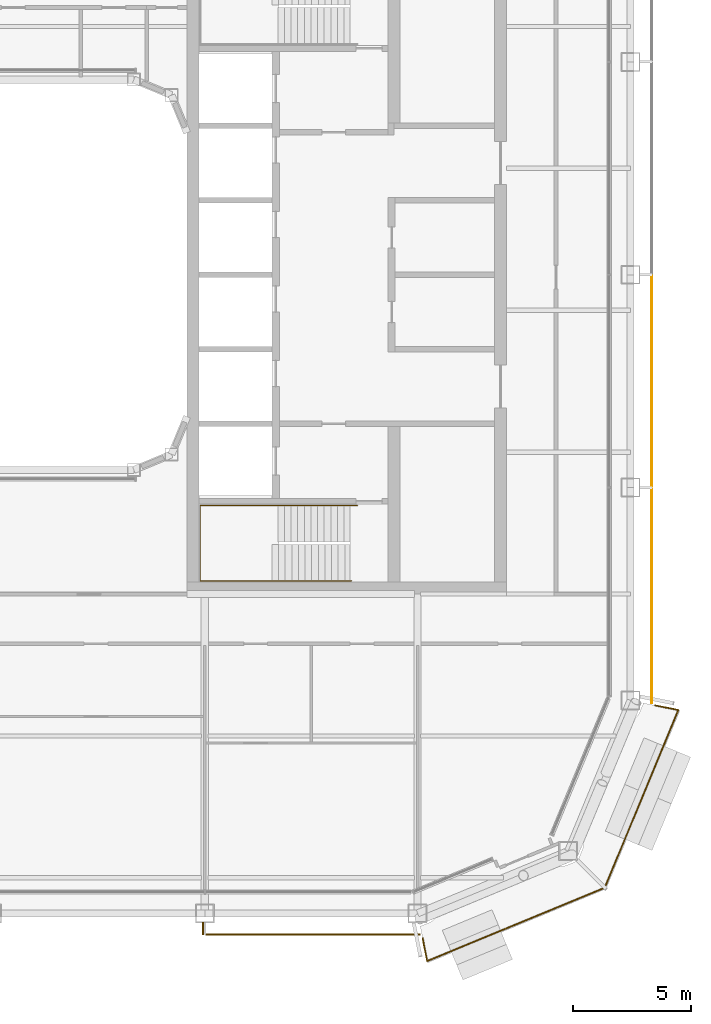
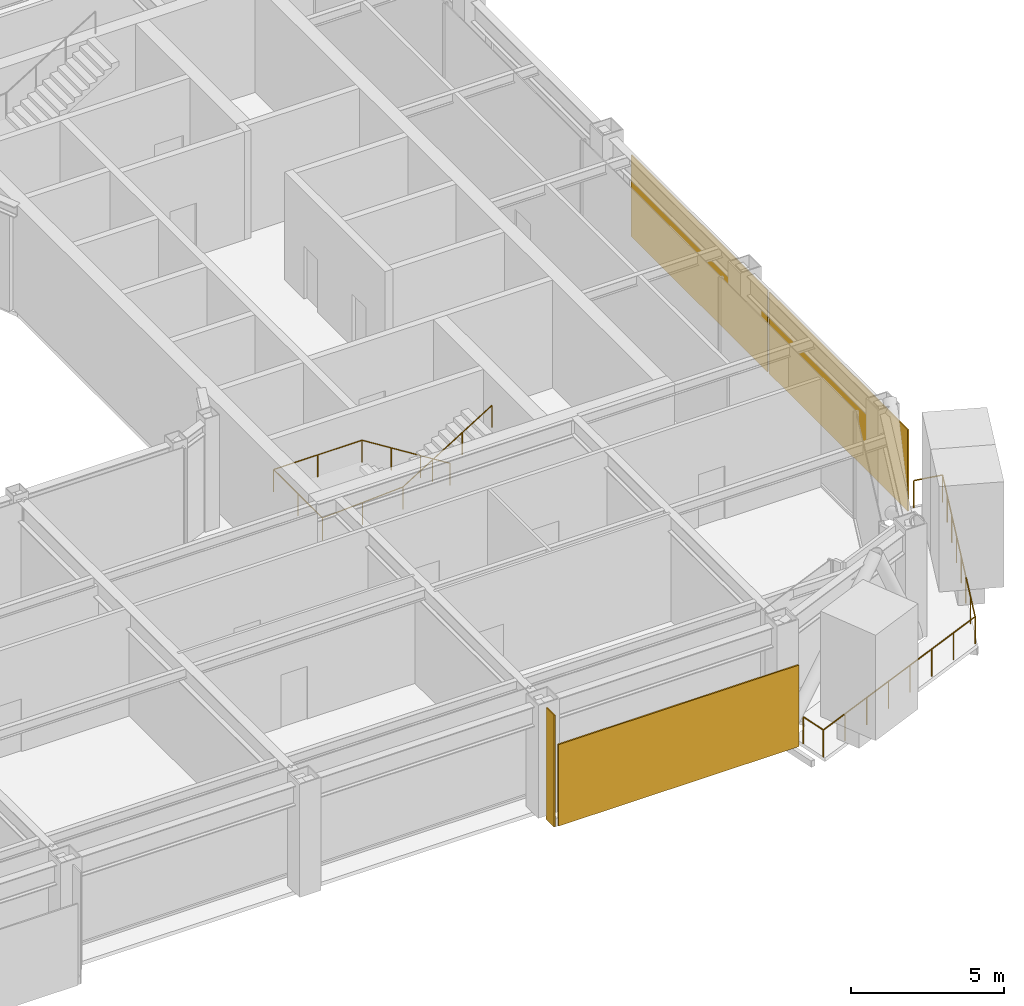
# One storey, part 20 of 23: 4 coverings, 2 railings.
"""IFC4 building model written with IfcOpenShell, lengths in metres."""

from ifc_helpers import new_model, si_unit, direction, frame, origin, origin_2d, place, context, subcontext, project, spatial, rectangle, circle, extrude, material, layer, layer_set, type_object, element, save


model = new_model("IFC4")

# Units and contexts
model_context = context("Model", 3, precision=1e-05, world=origin(), true_north=direction((0.0, 1.0)))
body_context = subcontext(model_context, "Body", "Model", "MODEL_VIEW")
ifc_project = project(units=[si_unit("LENGTHUNIT", "METRE"), si_unit("AREAUNIT", "SQUARE_METRE"), si_unit("VOLUMEUNIT", "CUBIC_METRE"), si_unit("PLANEANGLEUNIT", "RADIAN"), si_unit("MASSUNIT", "GRAM", prefix="KILO")], contexts=[model_context])

# Site, building, storey
site_placement = place(None, origin())
site = spatial("IfcSite", under=ifc_project, at=site_placement, CompositionType="ELEMENT")
building_placement = place(site_placement, origin())
building = spatial("IfcBuilding", under=site, at=building_placement, Name="Siwar Civic Tower", CompositionType="ELEMENT")
storey_placement = place(building_placement, frame((0.0, 0.0, 273.699951171875)))
storey = spatial("IfcBuildingStorey", under=building, at=storey_placement, Name="L59", CompositionType="ELEMENT", Elevation=273.699951171875)

# Railings
ifc_material_1 = material(Name="Stainless steel", Category="steel")
railing_type_1 = type_object("IfcRailingType", Name="CORE-STAIR-HANDRAIL", PredefinedType="HANDRAIL", material=ifc_material_1)
railing_1_placement = place(storey_placement, frame((15.449951171875, -9.758056640625, 0.173095703125)))
element("IfcRailing", 1, at=railing_1_placement, inside=storey, type_object=railing_type_1, Name="Stair handrail ST4", PredefinedType="HANDRAIL", context=body_context, shape_type="SweptSolid", body=[
    extrude(circle(Radius=0.02001953125, at=origin_2d()), frame((0.0, 0.0, 0.8798828125), z_axis=(-0.847063342986, 0.0, 0.531491950051), x_axis=(0.0, -1.0, 0.0)), (0.0, 0.0, 1.0), 3.90771484375),
    extrude(circle(Radius=0.02001953125, at=origin_2d()), frame((-3.31005859375, 0.0, 2.956787109375), z_axis=(-1.0, 0.0, 0.0), x_axis=(0.0, -1.0, 0.0)), (0.0, 0.0, 1.0), 3.331787109375),
    extrude(circle(Radius=0.02001953125, at=origin_2d()), frame((-6.641845703125, 0.0, 2.956787109375), z_axis=(0.0, -1.0, 0.0), x_axis=(1.0, 0.0, 0.0)), (0.0, 0.0, 1.0), 3.183837890625),
    extrude(circle(Radius=0.02001953125, at=origin_2d()), frame((-6.641845703125, -3.183837890625, 2.956787109375), z_axis=(0.99837434197, 0.0, 0.056997134106), x_axis=(0.0, 1.0, 0.0)), (0.0, 0.0, 1.0), 3.036865234375),
    extrude(circle(Radius=0.02001953125, at=origin_2d()), frame((-3.60986328125, -3.183837890625, 3.1298828125), z_axis=(0.850606129759, 0.0, 0.525803396734), x_axis=(0.0, 1.0, 0.0)), (0.0, 0.0, 1.0), 3.949951171875),
    extrude(circle(Radius=0.02001953125, at=origin_2d()), origin(), (0.0, 0.0, 1.0), 0.85986328125),
    extrude(circle(Radius=0.02001953125, at=origin_2d()), frame((-1.103271484375, 0.0, 0.6923828125)), (0.0, 0.0, 1.0), 0.85986328125),
    extrude(circle(Radius=0.02001953125, at=origin_2d()), frame((-2.206787109375, 0.0, 1.384521484375)), (0.0, 0.0, 1.0), 0.85986328125),
    extrude(circle(Radius=0.02001953125, at=origin_2d()), frame((-3.31005859375, 0.0, 2.076904296875)), (0.0, 0.0, 1.0), 0.85986328125),
    extrude(circle(Radius=0.02001953125, at=origin_2d()), frame((-4.97607421875, 0.0, 2.076904296875)), (0.0, 0.0, 1.0), 0.85986328125),
    extrude(circle(Radius=0.02001953125, at=origin_2d()), frame((-6.641845703125, 0.0, 2.076904296875)), (0.0, 0.0, 1.0), 0.85986328125),
    extrude(circle(Radius=0.02001953125, at=origin_2d()), frame((-6.641845703125, -1.591796875, 2.076904296875)), (0.0, 0.0, 1.0), 0.85986328125),
    extrude(circle(Radius=0.02001953125, at=origin_2d()), frame((-6.641845703125, -3.183837890625, 2.076904296875)), (0.0, 0.0, 1.0), 0.85986328125),
    extrude(circle(Radius=0.02001953125, at=origin_2d()), frame((-5.1259765625, -3.183837890625, 2.16357421875)), (0.0, 0.0, 1.0), 0.85986328125),
    extrude(circle(Radius=0.02001953125, at=origin_2d()), frame((-3.60986328125, -3.183837890625, 2.25)), (0.0, 0.0, 1.0), 0.85986328125),
    extrude(circle(Radius=0.02001953125, at=origin_2d()), frame((-2.489990234375, -3.183837890625, 2.9423828125)), (0.0, 0.0, 1.0), 0.85986328125),
    extrude(circle(Radius=0.02001953125, at=origin_2d()), frame((-1.369873046875, -3.183837890625, 3.634521484375)), (0.0, 0.0, 1.0), 0.85986328125),
    extrude(circle(Radius=0.02001953125, at=origin_2d()), frame((-0.25, -3.183837890625, 4.326904296875)), (0.0, 0.0, 1.0), 0.85986328125),
])
ifc_material_2 = material(Name="Stainless steel 316", Category="steel")
railing_type_2 = type_object("IfcRailingType", Name="ENV-GUARD", PredefinedType="GUARDRAIL", material=ifc_material_2)
railing_2_placement = place(storey_placement, frame((18.208251953125, -28.047119140625, 0.0)))
element("IfcRailing", 2, at=railing_2_placement, inside=storey, type_object=railing_type_2, Name="Balcony guard SE", PredefinedType="GUARDRAIL", context=body_context, shape_type="SweptSolid", body=[
    extrude(circle(Radius=0.02392578125, at=origin_2d()), frame((0.0, 0.0, 1.076171875), z_axis=(0.195123592472, -0.980778661911, 0.0), x_axis=(0.980778661911, 0.195123592472, 0.0)), (0.0, 0.0, 1.0), 0.993408203125),
    extrude(circle(Radius=0.02392578125, at=origin_2d()), frame((0.19384765625, -0.974365234375, 1.076171875), z_axis=(0.924089256518, 0.382176720888, 0.0), x_axis=(-0.382176720888, 0.924089256518, 0.0)), (0.0, 0.0, 1.0), 8.129638671875),
    extrude(circle(Radius=0.02392578125, at=origin_2d()), frame((7.706298828125, 2.132568359375, 1.076171875), z_axis=(0.382176720888, 0.924089256518, 0.0), x_axis=(-0.924089256518, 0.382176720888, 0.0)), (0.0, 0.0, 1.0), 8.129638671875),
    extrude(circle(Radius=0.02392578125, at=origin_2d()), frame((10.813232421875, 9.64501953125, 1.076171875), z_axis=(-0.980778661911, 0.195123592472, 0.0), x_axis=(-0.195123592472, -0.980778661911, 0.0)), (0.0, 0.0, 1.0), 0.993408203125),
    extrude(circle(Radius=0.02099609375, at=origin_2d()), origin(), (0.0, 0.0, 1.0), 1.052001953125),
    extrude(circle(Radius=0.02099609375, at=origin_2d()), frame((0.19384765625, -0.974365234375, 0.0)), (0.0, 0.0, 1.0), 1.052001953125),
    extrude(circle(Radius=0.02099609375, at=origin_2d()), frame((1.26708984375, -0.530517578125, 0.0)), (0.0, 0.0, 1.0), 1.052001953125),
    extrude(circle(Radius=0.02099609375, at=origin_2d()), frame((2.34033203125, -0.086669921875, 0.0)), (0.0, 0.0, 1.0), 1.052001953125),
    extrude(circle(Radius=0.02099609375, at=origin_2d()), frame((3.41357421875, 0.357177734375, 0.0)), (0.0, 0.0, 1.0), 1.052001953125),
    extrude(circle(Radius=0.02099609375, at=origin_2d()), frame((4.486572265625, 0.801025390625, 0.0)), (0.0, 0.0, 1.0), 1.052001953125),
    extrude(circle(Radius=0.02099609375, at=origin_2d()), frame((5.559814453125, 1.244873046875, 0.0)), (0.0, 0.0, 1.0), 1.052001953125),
    extrude(circle(Radius=0.02099609375, at=origin_2d()), frame((6.633056640625, 1.688720703125, 0.0)), (0.0, 0.0, 1.0), 1.052001953125),
    extrude(circle(Radius=0.02099609375, at=origin_2d()), frame((7.706298828125, 2.132568359375, 0.0)), (0.0, 0.0, 1.0), 1.052001953125),
    extrude(circle(Radius=0.02099609375, at=origin_2d()), frame((8.150146484375, 3.205810546875, 0.0)), (0.0, 0.0, 1.0), 1.052001953125),
    extrude(circle(Radius=0.02099609375, at=origin_2d()), frame((8.593994140625, 4.279052734375, 0.0)), (0.0, 0.0, 1.0), 1.052001953125),
    extrude(circle(Radius=0.02099609375, at=origin_2d()), frame((9.037841796875, 5.352294921875, 0.0)), (0.0, 0.0, 1.0), 1.052001953125),
    extrude(circle(Radius=0.02099609375, at=origin_2d()), frame((9.481689453125, 6.42529296875, 0.0)), (0.0, 0.0, 1.0), 1.052001953125),
    extrude(circle(Radius=0.02099609375, at=origin_2d()), frame((9.925537109375, 7.49853515625, 0.0)), (0.0, 0.0, 1.0), 1.052001953125),
    extrude(circle(Radius=0.02099609375, at=origin_2d()), frame((10.369384765625, 8.57177734375, 0.0)), (0.0, 0.0, 1.0), 1.052001953125),
    extrude(circle(Radius=0.02099609375, at=origin_2d()), frame((10.813232421875, 9.64501953125, 0.0)), (0.0, 0.0, 1.0), 1.052001953125),
    extrude(circle(Radius=0.02099609375, at=origin_2d()), frame((9.8388671875, 9.8388671875, 0.0)), (0.0, 0.0, 1.0), 1.052001953125),
])

# Coverings
ifc_material_3 = material(Name="Perforated aluminium cassette, pale metal", Category="aluminium")
ifc_layer_1 = layer(ifc_material_3, 0.0400390625)
ifc_layer_set_1 = layer_set([ifc_layer_1], Name="Perforated aluminium cassette, pale metal")
covering_type_1 = type_object("IfcCoveringType", Name="ENV-OUTER SKIN OS-1", PredefinedType="CLADDING", material=ifc_layer_set_1)
covering_1_placement = place(storey_placement, frame((27.89990234375, -13.57958984375, -0.14990234375), z_axis=(0.0, 0.0, 1.0), x_axis=(0.0, 1.0, 0.0)))
element("IfcCovering", 3, at=covering_1_placement, inside=storey, type_object=covering_type_1, Name="OUTER SKIN OS-1 E 1", PredefinedType="CLADDING", context=body_context, shape_type="SweptSolid", body=[
    extrude(rectangle(XDim=9.05908203125, YDim=0.0400390625, at=origin_2d()), origin(), (0.0, 0.0, 1.0), 3.25),
])
covering_2_placement = place(storey_placement, frame((27.89990234375, -4.5, -0.14990234375), z_axis=(0.0, 0.0, 1.0), x_axis=(0.0, 1.0, 0.0)))
element("IfcCovering", 4, at=covering_2_placement, inside=storey, type_object=covering_type_1, Name="OUTER SKIN OS-1 E 2", PredefinedType="CLADDING", context=body_context, shape_type="SweptSolid", body=[
    extrude(rectangle(XDim=8.89990234375, YDim=0.0400390625, at=origin_2d()), origin(), (0.0, 0.0, 1.0), 3.25),
])
ifc_material_4 = material(Name="Perforated aluminium cassette, pale metal", Category="aluminium")
ifc_layer_2 = layer(ifc_material_4, 0.054931640625)
ifc_layer_set_2 = layer_set([ifc_layer_2], Name="Perforated aluminium cassette, pale metal")
covering_type_2 = type_object("IfcCoveringType", Name="ENV-OUTER SKIN OS-4", PredefinedType="CLADDING", material=ifc_layer_set_2)
covering_3_placement = place(storey_placement, frame((13.57958984375, -27.89990234375, -0.14990234375), z_axis=(0.0, 0.0, 1.0), x_axis=(1.0, 0.0, 0.0)))
element("IfcCovering", 5, at=covering_3_placement, inside=storey, type_object=covering_type_2, Name="OUTER SKIN OS-4 S 4", PredefinedType="CLADDING", context=body_context, shape_type="SweptSolid", body=[
    extrude(rectangle(XDim=9.05908203125, YDim=0.054931640625, at=origin_2d()), origin(), (0.0, 0.0, 1.0), 3.25),
])
ifc_material_5 = material(Name="Perforated aluminium cassette, pale metal", Category="aluminium")
ifc_layer_3 = layer(ifc_material_5, 0.050048828125)
ifc_layer_set_3 = layer_set([ifc_layer_3], Name="Perforated aluminium cassette, pale metal")
covering_type_3 = type_object("IfcCoveringType", Name="ENV-PORTAL FRAME", PredefinedType="CLADDING", material=ifc_layer_set_3)
covering_4_placement = place(storey_placement, frame((8.925048828125, -27.639892578125, -0.14990234375), z_axis=(0.0, 0.0, 1.0), x_axis=(1.0, 0.0, 0.0)))
element("IfcCovering", 6, at=covering_4_placement, inside=storey, type_object=covering_type_3, Name="PORTAL FRAME return plate S L59", PredefinedType="CLADDING", context=body_context, shape_type="SweptSolid", body=[
    extrude(rectangle(XDim=0.050048828125, YDim=0.52001953125, at=origin_2d()), origin(), (0.0, 0.0, 1.0), 4.449951171875),
])

save(model, "model.ifc")
